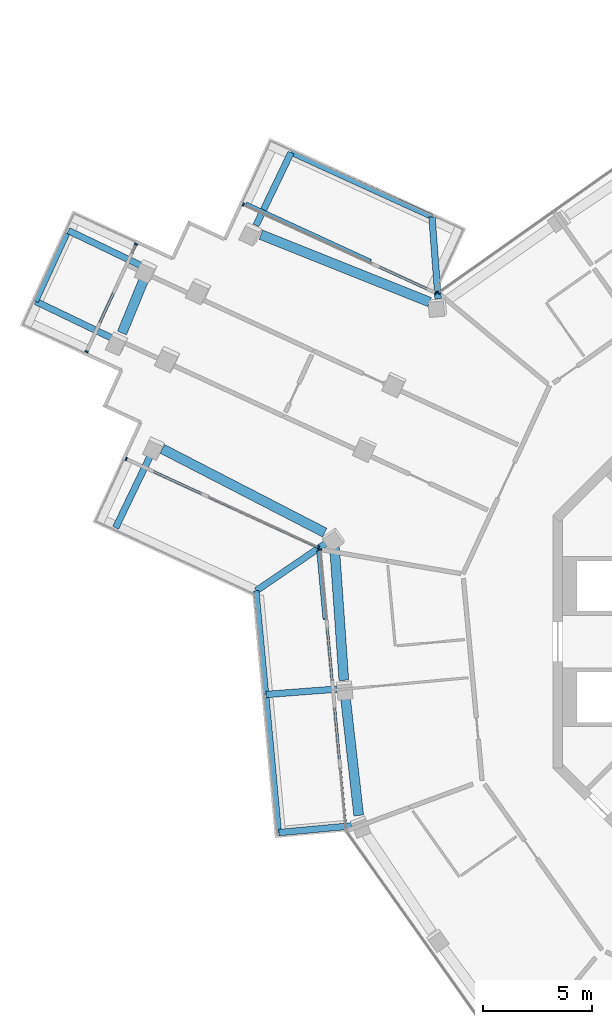
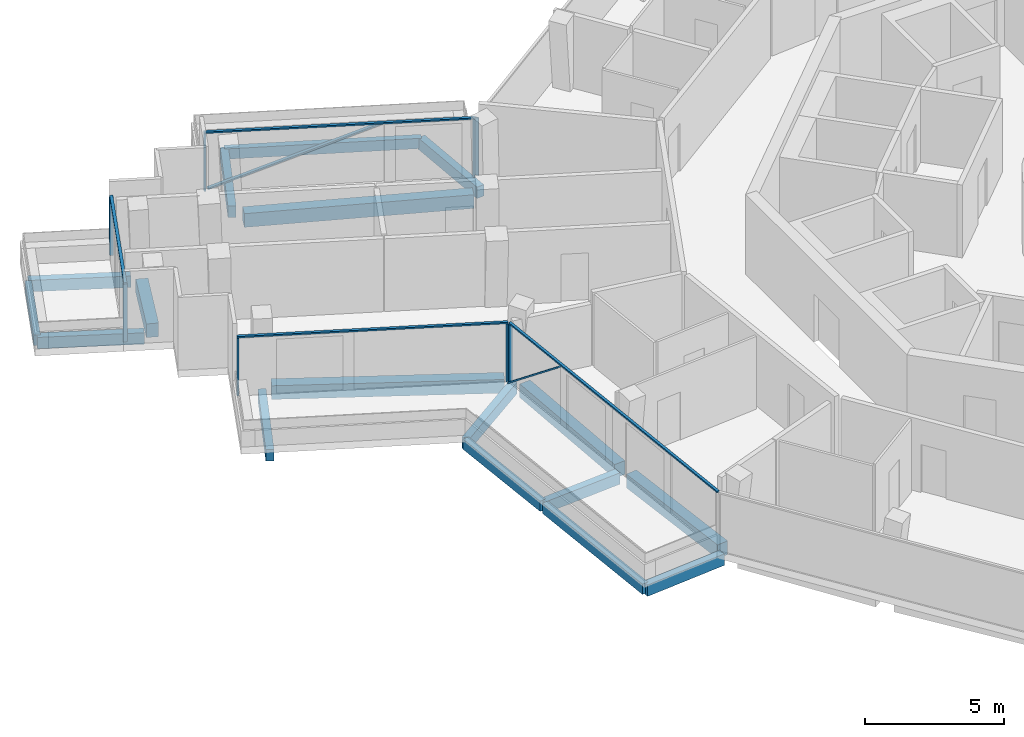
# One storey, part 5 of 25: 17 beams, 14 members, 5 elements without a shape of their own.
"""IFC4 building model written with IfcOpenShell, lengths in metres."""

import ifcopenshell
import ifcopenshell.guid

model = None  # the IFC model being written
_history = None  # IfcOwnerHistory: only IFC2X3 demands one
_inside = {}  # id of a spatial element -> (the spatial element, [elements in it])
_under = {}  # id of a project, library or spatial element -> (it, [spatial elements below it])
_declared = {}  # id of a project -> (the project, [libraries it declares])
_typed = {}  # id of a type object -> (the type object, [elements of that type])
_made_of = {}  # id of a material, layer set ... -> (it, [elements and type objects made of it])


def new_model(schema):
    """Start an empty IFC model of exactly this schema.

    Asked for "IFC4X3", IfcOpenShell would pick the latest addendum, in which some entities
    have other attributes; the version numbers below select the first issue.
    IFC2X3 requires an IfcOwnerHistory on every rooted entity: one is made here for all.
    """
    global model, _history
    if schema == "IFC4X3":
        model = ifcopenshell.file(schema_version=(4, 3, 0, 0))
    else:
        model = ifcopenshell.file(schema=schema)
    _inside.clear()
    _under.clear()
    _declared.clear()
    _typed.clear()
    _made_of.clear()
    _history = None
    if model.schema == "IFC2X3":
        org = make("IfcOrganization", Name="unknown")
        user = make(
            "IfcPersonAndOrganization",
            ThePerson=make("IfcPerson", FamilyName="unknown"),
            TheOrganization=org,
        )
        app = make(
            "IfcApplication",
            ApplicationDeveloper=org,
            Version="unknown",
            ApplicationFullName="unknown",
            ApplicationIdentifier="unknown",
        )
        _history = make(
            "IfcOwnerHistory",
            OwningUser=user,
            OwningApplication=app,
            ChangeAction="ADDED",
            CreationDate=0,
        )
    return model


def make(cls, **values):
    """One entity of the class cls with the attributes given. An attribute that is None is left unset."""
    return model.create_entity(
        cls, **{name: value for name, value in values.items() if value is not None}
    )


def rooted(cls, **values):
    """An entity with a GlobalId (a new one), such as an element, a storey or a relation."""
    return make(cls, GlobalId=ifcopenshell.guid.new(), OwnerHistory=_history, **values)


def si_unit(unit_type, name, prefix=None):
    """IfcSIUnit, for example si_unit("LENGTHUNIT", "METRE", prefix="MILLI")."""
    return make("IfcSIUnit", UnitType=unit_type, Prefix=prefix, Name=name)


def assignment(units):
    """IfcUnitAssignment: the units of a project."""
    return None if units is None else make("IfcUnitAssignment", Units=units)


def point(xyz):
    """IfcCartesianPoint."""
    return None if xyz is None else make("IfcCartesianPoint", Coordinates=xyz)


def direction(xyz):
    """IfcDirection."""
    return None if xyz is None else make("IfcDirection", DirectionRatios=xyz)


def frame(location, z_axis=None, x_axis=None):
    """IfcAxis2Placement3D, a coordinate frame: its origin and axes. An axis left out is left unset."""
    return make(
        "IfcAxis2Placement3D",
        Location=point(location),
        Axis=direction(z_axis),
        RefDirection=direction(x_axis),
    )


def frame_2d(location, x_axis=None):
    """IfcAxis2Placement2D, a coordinate frame in the plane: its origin and x axis."""
    return make(
        "IfcAxis2Placement2D", Location=point(location), RefDirection=direction(x_axis)
    )


def origin():
    """The frame at (0, 0, 0) with its axes left unset."""
    return frame((0.0, 0.0, 0.0))


def origin_2d():
    """The frame at (0, 0) in the plane with its x axis left unset."""
    return frame_2d((0.0, 0.0))


def place(relative_to, where):
    """IfcLocalPlacement: puts the frame where relative to a parent placement (None: the world)."""
    return make(
        "IfcLocalPlacement", PlacementRelTo=relative_to, RelativePlacement=where
    )


def context(
    kind, dimensions, precision=None, world=None, true_north=None, identifier=None
):
    """IfcGeometricRepresentationContext, for example the 3D "Model" context."""
    return make(
        "IfcGeometricRepresentationContext",
        ContextIdentifier=identifier,
        ContextType=kind,
        CoordinateSpaceDimension=dimensions,
        Precision=precision,
        WorldCoordinateSystem=world,
        TrueNorth=true_north,
    )


def subcontext(parent, identifier, kind, view, scale=None):
    """IfcGeometricRepresentationSubContext, for example "Body" below "Model"."""
    return make(
        "IfcGeometricRepresentationSubContext",
        ContextIdentifier=identifier,
        ContextType=kind,
        ParentContext=parent,
        TargetScale=scale,
        TargetView=view,
    )


def project(units=None, contexts=None):
    """IfcProject with its units and contexts."""
    return rooted(
        "IfcProject",
        Name="project",
        RepresentationContexts=contexts,
        UnitsInContext=assignment(units),
    )


def spatial(cls, under=None, at=None, **own):
    """A site, building, storey or space (cls), placed at a placement, below another one or the project."""
    s = rooted(cls, ObjectPlacement=at, **own)
    if under is not None:
        _under.setdefault(under.id(), (under, []))[1].append(s)
    return s


def profile(cls, at=None, kind="AREA", **sizes):
    """A parametric profile (cls). Its sizes go by their IFC names, for example OverallWidth=200.0."""
    return make(cls, ProfileType=kind, Position=at, **sizes)


def rectangle(**sizes):
    """IfcRectangleProfileDef."""
    return profile("IfcRectangleProfileDef", **sizes)


def extrude(swept, where, along, depth):
    """IfcExtrudedAreaSolid: the profile swept, set in the frame where, extruded along a direction by depth."""
    return make(
        "IfcExtrudedAreaSolid",
        SweptArea=swept,
        Position=where,
        ExtrudedDirection=direction(along),
        Depth=depth,
    )


def shape(context_of_items, identifier, shape_type, items):
    """IfcShapeRepresentation: the items that make up one representation, for example the "Body"."""
    return make(
        "IfcShapeRepresentation",
        ContextOfItems=context_of_items,
        RepresentationIdentifier=identifier,
        RepresentationType=shape_type,
        Items=items,
    )


def material(Name=None, Category=None):
    """IfcMaterial."""
    return make("IfcMaterial", Name=Name, Category=Category)


def layer(
    of_material, thickness, ventilated=None, Name=None, Category=None, Priority=None
):
    """IfcMaterialLayer: one layer of a wall or slab, of a material (None: an air gap)."""
    return make(
        "IfcMaterialLayer",
        Material=of_material,
        LayerThickness=thickness,
        IsVentilated=ventilated,
        Name=Name,
        Category=Category,
        Priority=Priority,
    )


def layer_set(layers, Name=None):
    """IfcMaterialLayerSet."""
    return make("IfcMaterialLayerSet", MaterialLayers=layers, LayerSetName=Name)


def material_profile(
    of_material, cross_section, Name=None, Category=None, Priority=None
):
    """IfcMaterialProfile: a cross section and its material."""
    return make(
        "IfcMaterialProfile",
        Name=Name,
        Material=of_material,
        Profile=cross_section,
        Priority=Priority,
        Category=Category,
    )


def profile_set(profiles, Name=None, composite=None):
    """IfcMaterialProfileSet."""
    return make(
        "IfcMaterialProfileSet",
        Name=Name,
        MaterialProfiles=profiles,
        CompositeProfile=composite,
    )


def made_of(thing, what):
    """Note that an element or type object is made of a material, layer set ...; save() writes the relation."""
    if what is not None:
        _made_of.setdefault(what.id(), (what, []))[1].append(thing)
    return thing


def type_object(cls, material=None, **own):
    """A type object (cls), such as IfcWallType, which elements share."""
    return made_of(rooted(cls, **own), material)


def element(
    cls,
    number,
    at=None,
    inside=None,
    cuts=None,
    type_object=None,
    material=None,
    context=None,
    identifier="Body",
    shape_type=None,
    held_by="IfcProductDefinitionShape",
    body=None,
    shapes=None,
    **own,
):
    """One element of the class cls, such as IfcWall. Its Tag is "e" and its number.

    at: its placement. inside: the storey or other place that contains it. cuts: it is an
    opening in that element (IfcRelVoidsElement). A single representation is given by context,
    identifier, shape_type and body (its items); several are given by shapes. held_by: the class
    of the entity that holds the representations. save() writes the other relations.
    """
    e = rooted(cls, Tag="e%d" % number, ObjectPlacement=at, **own)
    if body is not None:
        shapes = [shape(context, identifier, shape_type, body)]
    if shapes is not None:
        e.Representation = make(held_by, Representations=shapes)
    if inside is not None:
        _inside.setdefault(inside.id(), (inside, []))[1].append(e)
    if cuts is not None:
        rooted(
            "IfcRelVoidsElement", RelatingBuildingElement=cuts, RelatedOpeningElement=e
        )
    if type_object is not None:
        _typed.setdefault(type_object.id(), (type_object, []))[1].append(e)
    return made_of(e, material)


def aggregate(whole, parts):
    """IfcRelAggregates: a whole, such as a stair, and the parts it consists of."""
    return rooted("IfcRelAggregates", RelatingObject=whole, RelatedObjects=parts)


def save(model, path):
    """Write the relations noted so far, then the file.

    IfcRelAggregates (storeys below a building ...), IfcRelContainedInSpatialStructure (elements
    in a storey), IfcRelDefinesByType, IfcRelAssociatesMaterial and IfcRelDeclares: one each for
    every whole, place, type object, material and project.
    """
    for whole, parts in _under.values():
        aggregate(whole, parts)
    for where, things in _inside.values():
        rooted(
            "IfcRelContainedInSpatialStructure",
            RelatedElements=things,
            RelatingStructure=where,
        )
    for kind, things in _typed.values():
        rooted("IfcRelDefinesByType", RelatedObjects=things, RelatingType=kind)
    for what, things in _made_of.values():
        rooted("IfcRelAssociatesMaterial", RelatedObjects=things, RelatingMaterial=what)
    for by, libraries in _declared.values():
        rooted("IfcRelDeclares", RelatingContext=by, RelatedDefinitions=libraries)
    model.write(path)


model = new_model("IFC4")

# Units and contexts
model_context = context("Model", 3, precision=1e-05, world=origin(), true_north=direction((0.0, 1.0)))
body_context = subcontext(model_context, "Body", "Model", "MODEL_VIEW")
ifc_project = project(units=[si_unit("LENGTHUNIT", "METRE"), si_unit("AREAUNIT", "SQUARE_METRE"), si_unit("VOLUMEUNIT", "CUBIC_METRE"), si_unit("PLANEANGLEUNIT", "RADIAN"), si_unit("MASSUNIT", "GRAM", prefix="KILO")], contexts=[model_context])

# Site, building, storey
site_placement = place(None, origin())
site = spatial("IfcSite", under=ifc_project, at=site_placement, CompositionType="ELEMENT")
building_placement = place(site_placement, origin())
building = spatial("IfcBuilding", under=site, at=building_placement, Name="Verdalira Terraces Hotel", CompositionType="ELEMENT")
storey_placement = place(building_placement, frame((0.0, 0.0, 299.5)))
storey = spatial("IfcBuildingStorey", under=building, at=storey_placement, Name="L74", CompositionType="ELEMENT", Elevation=299.5)

# Beams
ifc_material_1 = material(Name="Concrete C40", Category="concrete")
ifc_material_profile_1 = material_profile(ifc_material_1, rectangle(XDim=0.300049, YDim=0.5, at=origin_2d()), Name="RC 300X500")
ifc_profile_set_1 = profile_set([ifc_material_profile_1], Name="Concrete C40")
beam_type_1 = type_object("IfcBeamType", Name="Balcony cantilever beam RC 300X500 C40", PredefinedType="BEAM", material=ifc_profile_set_1)
beam_1_placement = place(storey_placement, frame((-19.261963, 15.72998, -0.560059), z_axis=(-0.075288085, 0.997161825, 0.0), x_axis=(-0.997161825, -0.075288085, 0.0)))
element("IfcBeam", 1, at=beam_1_placement, inside=storey, type_object=beam_type_1, Name="Balcony cantilever beam R00-1", PredefinedType="BEAM", context=body_context, shape_type="SweptSolid", body=[
    extrude(rectangle(XDim=0.300049, YDim=0.5, at=origin_2d()), origin(), (0.0, 0.0, 1.0), 3.764893),
])
beam_2_placement = place(storey_placement, frame((-27.614746, 19.095947, -0.560059), z_axis=(0.433339753, 0.901230636, 0.0), x_axis=(-0.901230636, 0.433339753, 0.0)))
element("IfcBeam", 2, at=beam_2_placement, inside=storey, type_object=beam_type_1, Name="Balcony cantilever beam R00-2", PredefinedType="BEAM", context=body_context, shape_type="SweptSolid", body=[
    extrude(rectangle(XDim=0.300049, YDim=0.5, at=origin_2d()), origin(), (0.0, 0.0, 1.0), 3.702637),
])
beam_3_placement = place(storey_placement, frame((-32.888916, 17.252686, -0.560059), z_axis=(-0.901219669, 0.43336256, 0.0), x_axis=(-0.43336256, -0.901219669, 0.0)))
element("IfcBeam", 3, at=beam_3_placement, inside=storey, type_object=beam_type_1, Name="Balcony cantilever beam R05-1", PredefinedType="BEAM", context=body_context, shape_type="SweptSolid", body=[
    extrude(rectangle(XDim=0.300049, YDim=0.5, at=origin_2d()), origin(), (0.0, 0.0, 1.0), 3.69458),
])
beam_4_placement = place(storey_placement, frame((-34.244385, 13.935303, -0.560059), z_axis=(-0.901219092, 0.43336376, 0.0), x_axis=(-0.43336376, -0.901219092, 0.0)))
element("IfcBeam", 4, at=beam_4_placement, inside=storey, type_object=beam_type_1, Name="Balcony cantilever beam R05-2", PredefinedType="BEAM", context=body_context, shape_type="SweptSolid", body=[
    extrude(rectangle(XDim=0.300049, YDim=0.5, at=origin_2d()), origin(), (0.0, 0.0, 1.0), 3.850586),
])
beam_5_placement = place(storey_placement, frame((-24.339355, 4.563965, -0.560059), z_axis=(-0.825914698, -0.563795097, 0.0), x_axis=(0.563795097, -0.825914698, 0.0)))
element("IfcBeam", 5, at=beam_5_placement, inside=storey, type_object=beam_type_1, Name="Balcony cantilever beam R10-1", PredefinedType="BEAM", context=body_context, shape_type="SweptSolid", body=[
    extrude(rectangle(XDim=0.300049, YDim=0.5, at=origin_2d()), origin(), (0.0, 0.0, 1.0), 3.950195),
])
beam_6_placement = place(storey_placement, frame((-23.90918, -2.17627, -0.560059), z_axis=(-0.997159121, -0.075323889, 0.0), x_axis=(0.075323889, -0.997159121, 0.0)))
element("IfcBeam", 6, at=beam_6_placement, inside=storey, type_object=beam_type_1, Name="Balcony cantilever beam R10-2", PredefinedType="BEAM", context=body_context, shape_type="SweptSolid", body=[
    extrude(rectangle(XDim=0.300049, YDim=0.5, at=origin_2d()), origin(), (0.0, 0.0, 1.0), 3.250977),
])
beam_7_placement = place(storey_placement, frame((-23.20752, -8.446045, -0.560059), z_axis=(-0.995756784, -0.092024058, 0.0), x_axis=(0.092024058, -0.995756784, 0.0)))
element("IfcBeam", 7, at=beam_7_placement, inside=storey, type_object=beam_type_1, Name="Balcony cantilever beam R10-3", PredefinedType="BEAM", context=body_context, shape_type="SweptSolid", body=[
    extrude(rectangle(XDim=0.300049, YDim=0.5, at=origin_2d()), origin(), (0.0, 0.0, 1.0), 3.37207),
])
beam_8_placement = place(storey_placement, frame((-32.401123, 8.661377, -0.560059), z_axis=(-0.43335036, -0.901225535, 0.0), x_axis=(0.901225535, -0.43335036, 0.0)))
element("IfcBeam", 8, at=beam_8_placement, inside=storey, type_object=beam_type_1, Name="Balcony cantilever beam R10-4", PredefinedType="BEAM", context=body_context, shape_type="SweptSolid", body=[
    extrude(rectangle(XDim=0.300049, YDim=0.5, at=origin_2d()), origin(), (0.0, 0.0, 1.0), 3.818604),
])
ifc_material_2 = material(Name="Concrete C40", Category="concrete")
ifc_material_profile_2 = material_profile(ifc_material_2, rectangle(XDim=0.25, YDim=0.449951, at=origin_2d()), Name="RC 250X450")
ifc_profile_set_2 = profile_set([ifc_material_profile_2], Name="Concrete C40")
beam_type_2 = type_object("IfcBeamType", Name="Balcony edge beam RC 250X450 C40", PredefinedType="BEAM", material=ifc_profile_set_2)
beam_9_placement = place(storey_placement, frame((-19.54541, 19.484131, -0.534912), z_axis=(-0.909826787, 0.414988215, 0.0), x_axis=(-0.414988215, -0.909826787, 0.0)))
element("IfcBeam", 9, at=beam_9_placement, inside=storey, type_object=beam_type_2, Name="Balcony edge beam R00-1", PredefinedType="BEAM", context=body_context, shape_type="SweptSolid", body=[
    extrude(rectangle(XDim=0.25, YDim=0.449951, at=origin_2d()), origin(), (0.0, 0.0, 1.0), 7.105469),
])
beam_10_placement = place(storey_placement, frame((-36.28125, 18.717285, -0.534912), z_axis=(-0.418204248, -0.908353019, 0.0), x_axis=(0.908353019, -0.418204248, 0.0)))
element("IfcBeam", 10, at=beam_10_placement, inside=storey, type_object=beam_type_2, Name="Balcony edge beam R05-1", PredefinedType="BEAM", context=body_context, shape_type="SweptSolid", body=[
    extrude(rectangle(XDim=0.25, YDim=0.449951, at=origin_2d()), origin(), (0.0, 0.0, 1.0), 3.42749),
])
beam_11_placement = place(storey_placement, frame((-27.601807, 2.336914, -0.534912), z_axis=(0.094348655, -0.995539216, 0.0), x_axis=(0.995539216, 0.094348655, 0.0)))
element("IfcBeam", 11, at=beam_11_placement, inside=storey, type_object=beam_type_2, Name="Balcony edge beam R10-1", PredefinedType="BEAM", context=body_context, shape_type="SweptSolid", body=[
    extrude(rectangle(XDim=0.25, YDim=0.449951, at=origin_2d()), origin(), (0.0, 0.0, 1.0), 4.779297),
])
beam_12_placement = place(storey_placement, frame((-27.136963, -2.570557, -0.534912), z_axis=(0.092041622, -0.995755161, 0.0), x_axis=(0.995755161, 0.092041622, 0.0)))
element("IfcBeam", 12, at=beam_12_placement, inside=storey, type_object=beam_type_2, Name="Balcony edge beam R10-2", PredefinedType="BEAM", context=body_context, shape_type="SweptSolid", body=[
    extrude(rectangle(XDim=0.25, YDim=0.449951, at=origin_2d()), origin(), (0.0, 0.0, 1.0), 6.212158),
])

# Curtain wall, member
ifc_material_3 = material(Name="Clear glass", Category="glass")
ifc_layer_1 = layer(ifc_material_3, 0.14990234375)
ifc_layer_set_1 = layer_set([ifc_layer_1], Name="CW1 curtain wall")
curtain_wall_type_1 = type_object("IfcCurtainWallType", Name="CW1 curtain wall", PredefinedType="NOTDEFINED", material=ifc_layer_set_1)
curtain_wall_1_placement = place(storey_placement, origin())
curtain_wall_1 = element("IfcCurtainWall", 13, at=curtain_wall_1_placement, inside=storey, type_object=curtain_wall_type_1, Name="CW1 curtain wall L74 edge 11", PredefinedType="NOTDEFINED")
ifc_material_4 = material(Name="Terracotta frame", Category="masonry")
ifc_material_profile_3 = material_profile(ifc_material_4, rectangle(XDim=0.060059, YDim=0.149902, at=origin_2d()), Name="MU 60x150")
ifc_profile_set_3 = profile_set([ifc_material_profile_3], Name="Terracotta frame")
member_type_1 = type_object("IfcMemberType", Name="CW1 mullion 60x150", PredefinedType="MULLION", material=ifc_profile_set_3)
member_1_placement = place(storey_placement, frame((-24.676025, 4.217041, 0.0), z_axis=(0.0, 0.0, 1.0), x_axis=(0.092023008, -0.995756881, 0.0)))
member_1 = element("IfcMember", 14, at=member_1_placement, type_object=member_type_1, Name="CW1 mullion", PredefinedType="MULLION", context=body_context, shape_type="SweptSolid", body=[
    extrude(rectangle(XDim=0.060059, YDim=0.149902, at=origin_2d()), origin(), (0.0, 0.0, 1.0), 2.524902),
])

curtain_wall_2_placement = place(storey_placement, origin())
curtain_wall_2 = element("IfcCurtainWall", 15, at=curtain_wall_2_placement, inside=storey, type_object=curtain_wall_type_1, Name="CW1 curtain wall L74 edge 41", PredefinedType="NOTDEFINED")
member_2_placement = place(storey_placement, frame((-19.249268, 16.004883, 0.0), z_axis=(0.0, 0.0, 1.0), x_axis=(-0.816339251, -0.577572703, 0.0)))
member_2 = element("IfcMember", 16, at=member_2_placement, type_object=member_type_1, Name="CW1 mullion", PredefinedType="MULLION", context=body_context, shape_type="SweptSolid", body=[
    extrude(rectangle(XDim=0.060059, YDim=0.149902, at=origin_2d()), origin(), (0.0, 0.0, 1.0), 2.524902),
])
aggregate(curtain_wall_2, [member_2])

# Member
ifc_material_5 = material(Name="Terracotta frame", Category="masonry")
ifc_material_profile_4 = material_profile(ifc_material_5, rectangle(XDim=0.110107, YDim=0.064941, at=origin_2d()), Name="TR 65x110")
ifc_profile_set_4 = profile_set([ifc_material_profile_4], Name="Terracotta frame")
member_type_2 = type_object("IfcMemberType", Name="CW1 transom 65x110", PredefinedType="USERDEFINED", material=ifc_profile_set_4)
member_3_placement = place(storey_placement, frame((-24.678955, 4.24707, 2.557617), z_axis=(0.092025263, -0.995756673, 0.0), x_axis=(0.995756673, 0.092025263, 0.0)))
member_3 = element("IfcMember", 17, at=member_3_placement, type_object=member_type_2, Name="CW1 transom", ObjectType="TRANSOM", PredefinedType="USERDEFINED", context=body_context, shape_type="SweptSolid", body=[
    extrude(rectangle(XDim=0.110107, YDim=0.064941, at=origin_2d()), origin(), (0.0, 0.0, 1.0), 12.959717),
])

# Curtain wall, members
ifc_material_6 = material(Name="Clear glass", Category="glass")
ifc_layer_2 = layer(ifc_material_6, 0.14990234375)
ifc_layer_set_2 = layer_set([ifc_layer_2], Name="CW2 curtain wall")
curtain_wall_type_2 = type_object("IfcCurtainWallType", Name="CW2 curtain wall", PredefinedType="NOTDEFINED", material=ifc_layer_set_2)
curtain_wall_3_placement = place(storey_placement, origin())
curtain_wall_3 = element("IfcCurtainWall", 18, at=curtain_wall_3_placement, inside=storey, type_object=curtain_wall_type_2, Name="CW2 curtain wall L74 edge 0", PredefinedType="NOTDEFINED")
ifc_material_7 = material(Name="Terracotta frame", Category="masonry")
ifc_material_profile_5 = material_profile(ifc_material_7, rectangle(XDim=0.070068, YDim=0.149902, at=origin_2d()), Name="MU 70x150")
ifc_profile_set_5 = profile_set([ifc_material_profile_5], Name="Terracotta frame")
member_type_3 = type_object("IfcMemberType", Name="CW2 mullion 70x150", PredefinedType="MULLION", material=ifc_profile_set_5)
member_4_placement = place(storey_placement, frame((-19.380371, 15.995361, 0.0), z_axis=(0.0, 0.0, 1.0), x_axis=(-0.908362259, 0.418184178, 0.0)))
member_4 = element("IfcMember", 19, at=member_4_placement, type_object=member_type_3, Name="CW2 mullion", PredefinedType="MULLION", context=body_context, shape_type="SweptSolid", body=[
    extrude(rectangle(XDim=0.070068, YDim=0.149902, at=origin_2d()), origin(), (0.0, 0.0, 1.0), 2.524902),
])
member_5_placement = place(storey_placement, frame((-28.196289, 20.053955, 0.0), z_axis=(0.0, 0.0, 1.0), x_axis=(-0.908362259, 0.418184178, 0.0)))
member_5 = element("IfcMember", 20, at=member_5_placement, type_object=member_type_3, Name="CW2 mullion", PredefinedType="MULLION", context=body_context, shape_type="SweptSolid", body=[
    extrude(rectangle(XDim=0.070068, YDim=0.149902, at=origin_2d()), origin(), (0.0, 0.0, 1.0), 2.524902),
])

curtain_wall_4_placement = place(storey_placement, origin())
curtain_wall_4 = element("IfcCurtainWall", 21, at=curtain_wall_4_placement, inside=storey, type_object=curtain_wall_type_2, Name="CW2 curtain wall L74 edge 10", PredefinedType="NOTDEFINED")
member_6_placement = place(storey_placement, frame((-33.570068, 8.381592, 0.0), z_axis=(0.0, 0.0, 1.0), x_axis=(0.908362259, -0.418184178, 0.0)))
member_6 = element("IfcMember", 22, at=member_6_placement, type_object=member_type_3, Name="CW2 mullion", PredefinedType="MULLION", context=body_context, shape_type="SweptSolid", body=[
    extrude(rectangle(XDim=0.070068, YDim=0.149902, at=origin_2d()), origin(), (0.0, 0.0, 1.0), 2.524902),
])
member_7_placement = place(storey_placement, frame((-24.753906, 4.322754, 0.0), z_axis=(0.0, 0.0, 1.0), x_axis=(0.908362259, -0.418184178, 0.0)))
member_7 = element("IfcMember", 23, at=member_7_placement, type_object=member_type_3, Name="CW2 mullion", PredefinedType="MULLION", context=body_context, shape_type="SweptSolid", body=[
    extrude(rectangle(XDim=0.070068, YDim=0.149902, at=origin_2d()), origin(), (0.0, 0.0, 1.0), 2.524902),
])

# Member
ifc_material_8 = material(Name="Terracotta frame", Category="masonry")
ifc_material_profile_6 = material_profile(ifc_material_8, rectangle(XDim=0.11499, YDim=0.064941, at=origin_2d()), Name="TR 65x115")
ifc_profile_set_6 = profile_set([ifc_material_profile_6], Name="Terracotta frame")
member_type_4 = type_object("IfcMemberType", Name="CW2 transom 65x115", PredefinedType="USERDEFINED", material=ifc_profile_set_6)
member_8_placement = place(storey_placement, frame((-19.348633, 15.980713, 2.557617), z_axis=(-0.90836392, 0.418180569, 0.0), x_axis=(-0.418180569, -0.90836392, 0.0)))
member_8 = element("IfcMember", 24, at=member_8_placement, type_object=member_type_4, Name="CW2 transom", ObjectType="TRANSOM", PredefinedType="USERDEFINED", context=body_context, shape_type="SweptSolid", body=[
    extrude(rectangle(XDim=0.11499, YDim=0.064941, at=origin_2d()), origin(), (0.0, 0.0, 1.0), 9.775391),
])

member_9_placement = place(storey_placement, frame((-33.601807, 8.39624, 2.557617), z_axis=(0.908354433, -0.418201176, 0.0), x_axis=(0.418201176, 0.908354433, 0.0)))
member_9 = element("IfcMember", 25, at=member_9_placement, type_object=member_type_4, Name="CW2 transom", ObjectType="TRANSOM", PredefinedType="USERDEFINED", context=body_context, shape_type="SweptSolid", body=[
    extrude(rectangle(XDim=0.11499, YDim=0.064941, at=origin_2d()), origin(), (0.0, 0.0, 1.0), 9.775635),
])

aggregate(curtain_wall_4, [member_6, member_7, member_9])

# Curtain wall, members
ifc_material_9 = material(Name="Clear glass", Category="glass")
ifc_layer_3 = layer(ifc_material_9, 0.14990234375)
ifc_layer_set_3 = layer_set([ifc_layer_3], Name="CW3 curtain wall")
curtain_wall_type_3 = type_object("IfcCurtainWallType", Name="CW3 curtain wall", PredefinedType="NOTDEFINED", material=ifc_layer_set_3)
curtain_wall_5_placement = place(storey_placement, origin())
curtain_wall_5 = element("IfcCurtainWall", 26, at=curtain_wall_5_placement, inside=storey, type_object=curtain_wall_type_3, Name="CW3 curtain wall L74 edge 5", PredefinedType="NOTDEFINED")
ifc_material_10 = material(Name="Terracotta frame", Category="masonry")
ifc_material_profile_7 = material_profile(ifc_material_10, rectangle(XDim=0.080078, YDim=0.149902, at=origin_2d()), Name="MU 80x150")
ifc_profile_set_7 = profile_set([ifc_material_profile_7], Name="Terracotta frame")
member_type_5 = type_object("IfcMemberType", Name="CW3 mullion 80x150", PredefinedType="MULLION", material=ifc_profile_set_7)
member_10_placement = place(storey_placement, frame((-33.119873, 18.230957, 0.0), z_axis=(0.0, 0.0, 1.0), x_axis=(-0.418184178, -0.908362259, 0.0)))
member_10 = element("IfcMember", 27, at=member_10_placement, type_object=member_type_5, Name="CW3 mullion", PredefinedType="MULLION", context=body_context, shape_type="SweptSolid", body=[
    extrude(rectangle(XDim=0.080078, YDim=0.149902, at=origin_2d()), origin(), (0.0, 0.0, 1.0), 2.524902),
])
member_11_placement = place(storey_placement, frame((-35.386475, 13.307617, 0.0), z_axis=(0.0, 0.0, 1.0), x_axis=(-0.418184178, -0.908362259, 0.0)))
member_11 = element("IfcMember", 28, at=member_11_placement, type_object=member_type_5, Name="CW3 mullion", PredefinedType="MULLION", context=body_context, shape_type="SweptSolid", body=[
    extrude(rectangle(XDim=0.080078, YDim=0.149902, at=origin_2d()), origin(), (0.0, 0.0, 1.0), 2.524902),
])
ifc_material_11 = material(Name="Terracotta frame", Category="masonry")
ifc_material_profile_8 = material_profile(ifc_material_11, rectangle(XDim=0.120117, YDim=0.064941, at=origin_2d()), Name="TR 65x120")
ifc_profile_set_8 = profile_set([ifc_material_profile_8], Name="Terracotta frame")
member_type_6 = type_object("IfcMemberType", Name="CW3 transom 65x120", PredefinedType="USERDEFINED", material=ifc_profile_set_8)
member_12_placement = place(storey_placement, frame((-33.103271, 18.26709, 2.557617), z_axis=(-0.41819942, -0.908355242, 0.0), x_axis=(0.908355242, -0.41819942, 0.0)))
member_12 = element("IfcMember", 29, at=member_12_placement, type_object=member_type_6, Name="CW3 transom", ObjectType="TRANSOM", PredefinedType="USERDEFINED", context=body_context, shape_type="SweptSolid", body=[
    extrude(rectangle(XDim=0.120117, YDim=0.064941, at=origin_2d()), origin(), (0.0, 0.0, 1.0), 5.5),
])
aggregate(curtain_wall_5, [member_10, member_11, member_12])

# Member
ifc_material_12 = material(Name="Terracotta frame", Category="masonry")
ifc_material_profile_9 = material_profile(ifc_material_12, rectangle(XDim=0.149902, YDim=0.060059, at=origin_2d()), Name="GB 60x150")
ifc_profile_set_9 = profile_set([ifc_material_profile_9], Name="Terracotta frame")
member_type_7 = type_object("IfcMemberType", Name="Diagonal glazing bar 60x150", PredefinedType="USERDEFINED", material=ifc_profile_set_9)
member_13_placement = place(storey_placement, frame((-22.347168, 17.461426, 2.496338), z_axis=(-0.845592731, 0.389297884, -0.365267151), x_axis=(-0.41819394, -0.908357765, 0.0)))
member_13 = element("IfcMember", 30, at=member_13_placement, type_object=member_type_7, Name="Diagonal glazing bar", ObjectType="GLAZING BAR", PredefinedType="USERDEFINED", context=body_context, shape_type="SweptSolid", body=[
    extrude(rectangle(XDim=0.149902, YDim=0.060059, at=origin_2d()), origin(), (0.0, 0.0, 1.0), 6.756104),
])

aggregate(curtain_wall_3, [member_4, member_5, member_8, member_13])

member_14_placement = place(storey_placement, frame((-24.759033, 4.147949, 0.024658), z_axis=(0.07216374, -0.780763929, 0.620644892), x_axis=(0.99575579, 0.092034813, 0.0)))
member_14 = element("IfcMember", 31, at=member_14_placement, type_object=member_type_7, Name="Diagonal glazing bar", ObjectType="GLAZING BAR", PredefinedType="USERDEFINED", context=body_context, shape_type="SweptSolid", body=[
    extrude(rectangle(XDim=0.149902, YDim=0.060059, at=origin_2d()), origin(), (0.0, 0.0, 1.0), 3.98877),
])

aggregate(curtain_wall_1, [member_1, member_3, member_14])

# Beams
ifc_material_13 = material(Name="Concrete C40", Category="concrete")
ifc_material_profile_10 = material_profile(ifc_material_13, rectangle(XDim=0.449951, YDim=0.600098, at=origin_2d()), Name="RC 450X600")
ifc_profile_set_10 = profile_set([ifc_material_profile_10], Name="Concrete C40")
beam_type_3 = type_object("IfcBeamType", Name="Spandrel beam RC 450X600 C40", PredefinedType="SPANDREL", material=ifc_profile_set_10)
beam_13_placement = place(storey_placement, frame((-19.653076, 15.576172, -0.610107), z_axis=(-0.928571651, 0.371153189, 0.0), x_axis=(-0.371153189, -0.928571651, 0.0)))
element("IfcBeam", 32, at=beam_13_placement, inside=storey, type_object=beam_type_3, Name="Spandrel beam B01", PredefinedType="SPANDREL", context=body_context, shape_type="SweptSolid", body=[
    extrude(rectangle(XDim=0.449951, YDim=0.600098, at=origin_2d()), origin(), (0.0, 0.0, 1.0), 8.330811),
])
beam_14_placement = place(storey_placement, frame((-32.684326, 16.790039, -0.610107), z_axis=(-0.37934152, -0.925256727, 0.0), x_axis=(0.925256727, -0.37934152, 0.0)))
element("IfcBeam", 33, at=beam_14_placement, inside=storey, type_object=beam_type_3, Name="Spandrel beam B02", PredefinedType="SPANDREL", context=body_context, shape_type="SweptSolid", body=[
    extrude(rectangle(XDim=0.449951, YDim=0.600098, at=origin_2d()), origin(), (0.0, 0.0, 1.0), 2.843262),
])
beam_15_placement = place(storey_placement, frame((-31.909668, 8.843262, -0.610107), z_axis=(0.888819495, -0.458257467, 0.0), x_axis=(0.458257467, 0.888819495, 0.0)))
element("IfcBeam", 34, at=beam_15_placement, inside=storey, type_object=beam_type_3, Name="Spandrel beam B03", PredefinedType="SPANDREL", context=body_context, shape_type="SweptSolid", body=[
    extrude(rectangle(XDim=0.449951, YDim=0.600098, at=origin_2d()), origin(), (0.0, 0.0, 1.0), 8.374512),
])
beam_16_placement = place(storey_placement, frame((-24.011475, 4.310547, -0.610107), z_axis=(0.069625134, -0.997573226, 0.0), x_axis=(0.997573226, 0.069625134, 0.0)))
element("IfcBeam", 35, at=beam_16_placement, inside=storey, type_object=beam_type_3, Name="Spandrel beam B04", PredefinedType="SPANDREL", context=body_context, shape_type="SweptSolid", body=[
    extrude(rectangle(XDim=0.449951, YDim=0.600098, at=origin_2d()), origin(), (0.0, 0.0, 1.0), 6.0979),
])
beam_17_placement = place(storey_placement, frame((-23.521973, -2.483887, -0.610107), z_axis=(0.111872825, -0.993722532, 0.0), x_axis=(0.993722532, 0.111872825, 0.0)))
element("IfcBeam", 36, at=beam_17_placement, inside=storey, type_object=beam_type_3, Name="Spandrel beam B05", PredefinedType="SPANDREL", context=body_context, shape_type="SweptSolid", body=[
    extrude(rectangle(XDim=0.449951, YDim=0.600098, at=origin_2d()), origin(), (0.0, 0.0, 1.0), 5.52124),
])

save(model, "model.ifc")
